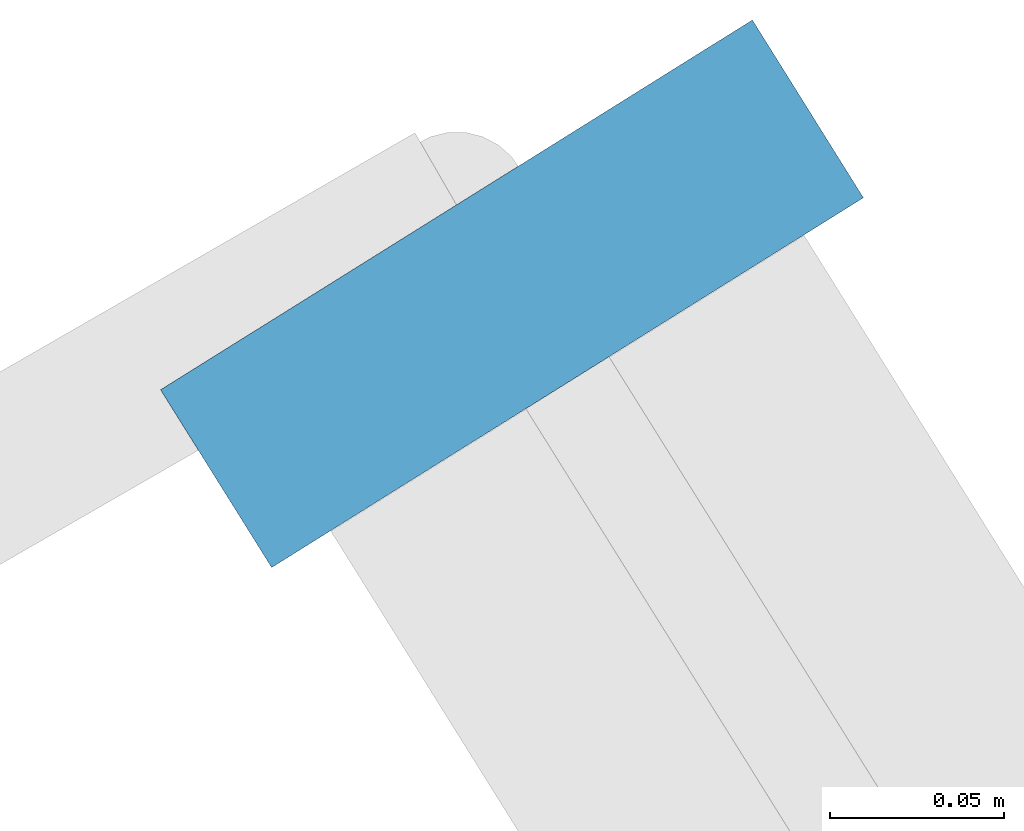
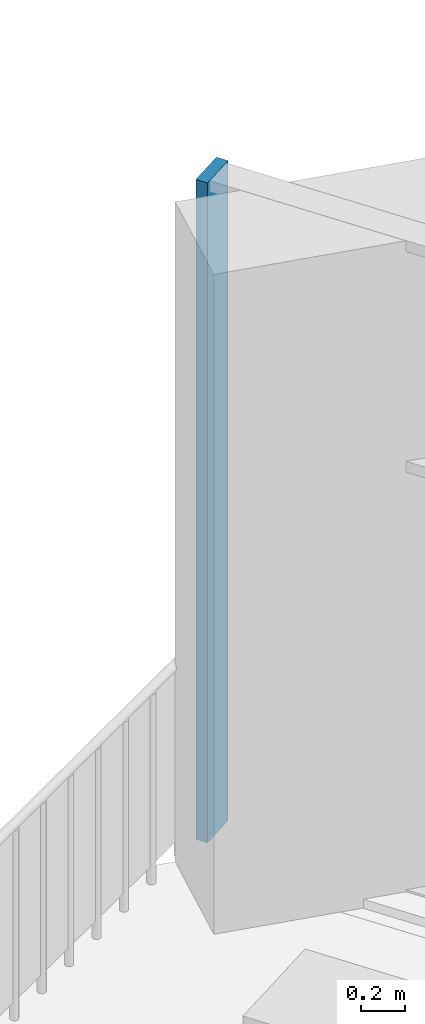
# One storey, part 4 of 14: 1 member, 1 element without a shape of its own.
"""IFC4 building model written with IfcOpenShell, lengths in metres."""

from ifc_helpers import new_model, si_unit, direction, frame, origin, origin_2d, place, context, subcontext, project, spatial, rectangle, extrude, material, material_profile, profile_set, type_object, element, aggregate, save


model = new_model("IFC4")

# Units and contexts
model_context = context("Model", 3, precision=1e-05, world=origin(), true_north=direction((0.0, 1.0)))
body_context = subcontext(model_context, "Body", "Model", "MODEL_VIEW")
ifc_project = project(units=[si_unit("LENGTHUNIT", "METRE"), si_unit("AREAUNIT", "SQUARE_METRE"), si_unit("VOLUMEUNIT", "CUBIC_METRE"), si_unit("PLANEANGLEUNIT", "RADIAN"), si_unit("MASSUNIT", "GRAM", prefix="KILO")], contexts=[model_context])

# Site, building, storey
site_placement = place(None, origin())
site = spatial("IfcSite", under=ifc_project, at=site_placement, CompositionType="ELEMENT")
building_placement = place(site_placement, origin())
building = spatial("IfcBuilding", under=site, at=building_placement, Name="Dilmun Exchange Tower", CompositionType="ELEMENT")
storey_placement = place(building_placement, frame((0.0, 0.0, 340.5)))
storey = spatial("IfcBuildingStorey", under=building, at=storey_placement, Name="L81", CompositionType="ELEMENT", Elevation=340.5)

# Curtain wall, member
ifc_material_1 = material(Name="Anodised aluminium and clear glass", Category="aluminium")
curtain_wall_type = type_object("IfcCurtainWallType", Name="Garden corner glazing", PredefinedType="NOTDEFINED", material=ifc_material_1)
curtain_wall_placement = place(storey_placement, origin())
curtain_wall = element("IfcCurtainWall", 1, at=curtain_wall_placement, inside=storey, type_object=curtain_wall_type, Name="Garden corner glazing run GC1.1", PredefinedType="NOTDEFINED")
ifc_material_2 = material(Name="Anodised aluminium", Category="aluminium")
ifc_material_profile = material_profile(ifc_material_2, rectangle(XDim=0.199951171875, YDim=0.06005859375, at=origin_2d()), Name="AL 60x200")
ifc_profile_set = profile_set([ifc_material_profile], Name="Anodised aluminium")
member_type = type_object("IfcMemberType", Name="Garden corner glazing mullion 60 x 200", PredefinedType="MULLION", material=ifc_profile_set)
member_placement = place(storey_placement, frame((-13.93017578125, 34.201171875, 0.0), z_axis=(0.0, 0.0, 1.0), x_axis=(0.8480495651, 0.529916913426, 0.0)))
member = element("IfcMember", 2, at=member_placement, type_object=member_type, Name="GC1.1 mullion 1", PredefinedType="MULLION", context=body_context, shape_type="SweptSolid", body=[
    extrude(rectangle(XDim=0.199951171875, YDim=0.06005859375, at=origin_2d()), origin(), (0.0, 0.0, 1.0), 3.64990234375),
])
aggregate(curtain_wall, [member])

save(model, "model.ifc")
